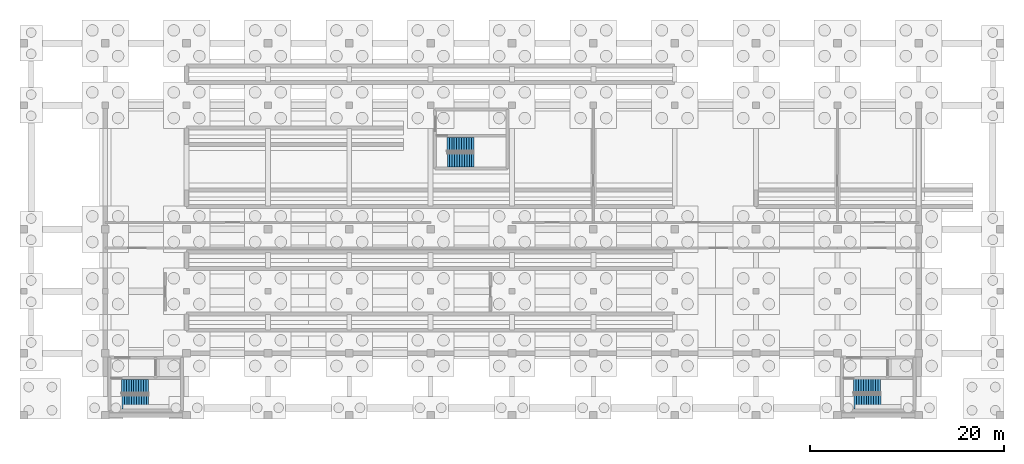
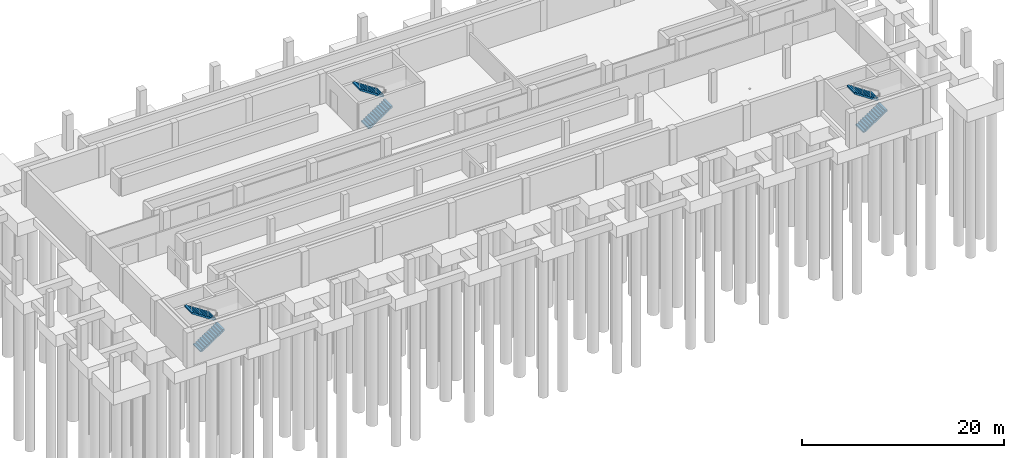
# One storey, part 7 of 9: 6 stair flights, 3 elements without a shape of their own.
"""IFC4 building model written with IfcOpenShell, lengths in metres."""

from ifc_helpers import new_model, si_unit, direction, frame, origin, place, context, subcontext, project, spatial, polyline, outline, extrude, material, layer, layer_set, type_object, element, aggregate, save


model = new_model("IFC4")

# Units and contexts
model_context = context("Model", 3, precision=1e-05, world=origin(), true_north=direction((0.0, 1.0)))
body_context = subcontext(model_context, "Body", "Model", "MODEL_VIEW")
ifc_project = project(units=[si_unit("LENGTHUNIT", "METRE"), si_unit("AREAUNIT", "SQUARE_METRE"), si_unit("VOLUMEUNIT", "CUBIC_METRE"), si_unit("PLANEANGLEUNIT", "RADIAN"), si_unit("MASSUNIT", "GRAM", prefix="KILO")], contexts=[model_context])

# Site, building, storey
site_placement = place(None, origin())
site = spatial("IfcSite", under=ifc_project, at=site_placement, CompositionType="ELEMENT")
building_placement = place(site_placement, origin())
building = spatial("IfcBuilding", under=site, at=building_placement, Name="Kazenagashi Tramway Depot", CompositionType="ELEMENT")
storey_placement = place(building_placement, frame((0.0, 0.0, -4.0)))
storey = spatial("IfcBuildingStorey", under=building, at=storey_placement, Name="B01", CompositionType="ELEMENT", Elevation=-4.0)

# Stair, stair flights
ifc_material = material(Name="Concrete Fc36", Category="concrete")
stair_type = type_object("IfcStairType", Name="ST-T1", PredefinedType="USERDEFINED", material=ifc_material)
stair_1_placement = place(storey_placement, origin())
stair_1 = element("IfcStair", 1, at=stair_1_placement, inside=storey, type_object=stair_type, Name="Enclosed Escape Stair ST-16", ObjectType="TWO_RETURN_STAIR", PredefinedType="USERDEFINED")
ifc_layer_1 = layer(ifc_material, 0.18)
ifc_layer_set_1 = layer_set([ifc_layer_1], Name="Concrete Fc36")
stair_flight_type_1 = type_object("IfcStairFlightType", Name="SF-F01", PredefinedType="STRAIGHT", material=ifc_layer_set_1)
stair_flight_1_placement = place(storey_placement, frame((54.92, 17.845, 0.0), z_axis=(0.0, 0.0, 1.0), x_axis=(1.0, 0.0, 0.0)))
stair_flight_1 = element("IfcStairFlight", 2, at=stair_flight_1_placement, type_object=stair_flight_type_1, Name="ST-16 flight 1", NumberOfRisers=12, NumberOfTreads=11, PredefinedType="STRAIGHT", RiserHeight=0.166666667, TreadLength=0.252, context=body_context, shape_type="SweptSolid", body=[
    extrude(outline(polyline([(0.0, 0.0), (0.0, 0.166667), (0.252, 0.166667), (0.252, 0.333333), (0.504, 0.333333), (0.504, 0.5), (0.756, 0.5), (0.756, 0.666667), (1.008, 0.666667), (1.008, 0.833333), (1.26, 0.833333), (1.26, 1.0), (1.512, 1.0), (1.512, 1.166667), (1.764, 1.166667), (1.764, 1.333333), (2.016, 1.333333), (2.016, 1.5), (2.268, 1.5), (2.268, 1.666667), (2.52, 1.666667), (2.52, 1.833333), (2.772, 1.833333), (2.772, 2.0), (2.772, 1.653495), (0.271916, 0.0), (0.0, 0.0)])), frame((0.0, 0.725, 0.0), z_axis=(0.0, -1.0, 0.0), x_axis=(1.0, 0.0, 0.0)), (0.0, 0.0, 1.0), 1.45),
])
stair_flight_2_placement = place(storey_placement, frame((57.652, 19.455, 2.0), z_axis=(0.0, 0.0, 1.0), x_axis=(-1.0, 0.0, 0.0)))
stair_flight_2 = element("IfcStairFlight", 3, at=stair_flight_2_placement, type_object=stair_flight_type_1, Name="ST-16 flight 2", NumberOfRisers=12, NumberOfTreads=11, PredefinedType="STRAIGHT", RiserHeight=0.166666667, TreadLength=0.252, context=body_context, shape_type="SweptSolid", body=[
    extrude(outline(polyline([(0.0, 0.0), (0.0, 0.166667), (0.252, 0.166667), (0.252, 0.333333), (0.504, 0.333333), (0.504, 0.5), (0.756, 0.5), (0.756, 0.666667), (1.008, 0.666667), (1.008, 0.833333), (1.26, 0.833333), (1.26, 1.0), (1.512, 1.0), (1.512, 1.166667), (1.764, 1.166667), (1.764, 1.333333), (2.016, 1.333333), (2.016, 1.5), (2.268, 1.5), (2.268, 1.666667), (2.52, 1.666667), (2.52, 1.833333), (2.772, 1.833333), (2.772, 2.0), (2.772, 1.653495), (0.271916, 0.0), (0.0, 0.0)])), frame((0.0, 0.725, 0.0), z_axis=(0.0, -1.0, 0.0), x_axis=(1.0, 0.0, 0.0)), (0.0, 0.0, 1.0), 1.45),
])
aggregate(stair_1, [stair_flight_1, stair_flight_2])

stair_2_placement = place(storey_placement, origin())
stair_2 = element("IfcStair", 4, at=stair_2_placement, inside=storey, type_object=stair_type, Name="Enclosed Escape Stair ST-22", ObjectType="TWO_RETURN_STAIR", PredefinedType="USERDEFINED")
stair_flight_3_placement = place(storey_placement, frame((88.52, 42.845, 0.0), z_axis=(0.0, 0.0, 1.0), x_axis=(1.0, 0.0, 0.0)))
stair_flight_3 = element("IfcStairFlight", 5, at=stair_flight_3_placement, type_object=stair_flight_type_1, Name="ST-22 flight 1", NumberOfRisers=12, NumberOfTreads=11, PredefinedType="STRAIGHT", RiserHeight=0.166666667, TreadLength=0.252, context=body_context, shape_type="SweptSolid", body=[
    extrude(outline(polyline([(0.0, 0.0), (0.0, 0.166667), (0.252, 0.166667), (0.252, 0.333333), (0.504, 0.333333), (0.504, 0.5), (0.756, 0.5), (0.756, 0.666667), (1.008, 0.666667), (1.008, 0.833333), (1.26, 0.833333), (1.26, 1.0), (1.512, 1.0), (1.512, 1.166667), (1.764, 1.166667), (1.764, 1.333333), (2.016, 1.333333), (2.016, 1.5), (2.268, 1.5), (2.268, 1.666667), (2.52, 1.666667), (2.52, 1.833333), (2.772, 1.833333), (2.772, 2.0), (2.772, 1.653495), (0.271916, 0.0), (0.0, 0.0)])), frame((0.0, 0.725, 0.0), z_axis=(0.0, -1.0, 0.0), x_axis=(1.0, 0.0, 0.0)), (0.0, 0.0, 1.0), 1.45),
])
stair_flight_4_placement = place(storey_placement, frame((91.252, 44.455, 2.0), z_axis=(0.0, 0.0, 1.0), x_axis=(-1.0, 0.0, 0.0)))
stair_flight_4 = element("IfcStairFlight", 6, at=stair_flight_4_placement, type_object=stair_flight_type_1, Name="ST-22 flight 2", NumberOfRisers=12, NumberOfTreads=11, PredefinedType="STRAIGHT", RiserHeight=0.166666667, TreadLength=0.252, context=body_context, shape_type="SweptSolid", body=[
    extrude(outline(polyline([(0.0, 0.0), (0.0, 0.166667), (0.252, 0.166667), (0.252, 0.333333), (0.504, 0.333333), (0.504, 0.5), (0.756, 0.5), (0.756, 0.666667), (1.008, 0.666667), (1.008, 0.833333), (1.26, 0.833333), (1.26, 1.0), (1.512, 1.0), (1.512, 1.166667), (1.764, 1.166667), (1.764, 1.333333), (2.016, 1.333333), (2.016, 1.5), (2.268, 1.5), (2.268, 1.666667), (2.52, 1.666667), (2.52, 1.833333), (2.772, 1.833333), (2.772, 2.0), (2.772, 1.653495), (0.271916, 0.0), (0.0, 0.0)])), frame((0.0, 0.725, 0.0), z_axis=(0.0, -1.0, 0.0), x_axis=(1.0, 0.0, 0.0)), (0.0, 0.0, 1.0), 1.45),
])
aggregate(stair_2, [stair_flight_3, stair_flight_4])

stair_3_placement = place(storey_placement, origin())
stair_3 = element("IfcStair", 7, at=stair_3_placement, inside=storey, type_object=stair_type, Name="Enclosed Escape Stair ST-19", ObjectType="TWO_RETURN_STAIR", PredefinedType="USERDEFINED")
ifc_layer_2 = layer(ifc_material, 0.18)
ifc_layer_set_2 = layer_set([ifc_layer_2], Name="Concrete Fc36")
stair_flight_type_2 = type_object("IfcStairFlightType", Name="SF-F02", PredefinedType="STRAIGHT", material=ifc_layer_set_2)
stair_flight_5_placement = place(storey_placement, frame((130.52, 17.87, 0.0), z_axis=(0.0, 0.0, 1.0), x_axis=(1.0, 0.0, 0.0)))
stair_flight_5 = element("IfcStairFlight", 8, at=stair_flight_5_placement, type_object=stair_flight_type_2, Name="ST-19 flight 1", NumberOfRisers=12, NumberOfTreads=11, PredefinedType="STRAIGHT", RiserHeight=0.166666667, TreadLength=0.252, context=body_context, shape_type="SweptSolid", body=[
    extrude(outline(polyline([(0.0, 0.0), (0.0, 0.166667), (0.252, 0.166667), (0.252, 0.333333), (0.504, 0.333333), (0.504, 0.5), (0.756, 0.5), (0.756, 0.666667), (1.008, 0.666667), (1.008, 0.833333), (1.26, 0.833333), (1.26, 1.0), (1.512, 1.0), (1.512, 1.166667), (1.764, 1.166667), (1.764, 1.333333), (2.016, 1.333333), (2.016, 1.5), (2.268, 1.5), (2.268, 1.666667), (2.52, 1.666667), (2.52, 1.833333), (2.772, 1.833333), (2.772, 2.0), (2.772, 1.653495), (0.271916, 0.0), (0.0, 0.0)])), frame((0.0, 0.75, 0.0), z_axis=(0.0, -1.0, 0.0), x_axis=(1.0, 0.0, 0.0)), (0.0, 0.0, 1.0), 1.5),
])
stair_flight_6_placement = place(storey_placement, frame((133.252, 19.53, 2.0), z_axis=(0.0, 0.0, 1.0), x_axis=(-1.0, 0.0, 0.0)))
stair_flight_6 = element("IfcStairFlight", 9, at=stair_flight_6_placement, type_object=stair_flight_type_2, Name="ST-19 flight 2", NumberOfRisers=12, NumberOfTreads=11, PredefinedType="STRAIGHT", RiserHeight=0.166666667, TreadLength=0.252, context=body_context, shape_type="SweptSolid", body=[
    extrude(outline(polyline([(0.0, 0.0), (0.0, 0.166667), (0.252, 0.166667), (0.252, 0.333333), (0.504, 0.333333), (0.504, 0.5), (0.756, 0.5), (0.756, 0.666667), (1.008, 0.666667), (1.008, 0.833333), (1.26, 0.833333), (1.26, 1.0), (1.512, 1.0), (1.512, 1.166667), (1.764, 1.166667), (1.764, 1.333333), (2.016, 1.333333), (2.016, 1.5), (2.268, 1.5), (2.268, 1.666667), (2.52, 1.666667), (2.52, 1.833333), (2.772, 1.833333), (2.772, 2.0), (2.772, 1.653495), (0.271916, 0.0), (0.0, 0.0)])), frame((0.0, 0.75, 0.0), z_axis=(0.0, -1.0, 0.0), x_axis=(1.0, 0.0, 0.0)), (0.0, 0.0, 1.0), 1.5),
])
aggregate(stair_3, [stair_flight_5, stair_flight_6])

save(model, "model.ifc")
